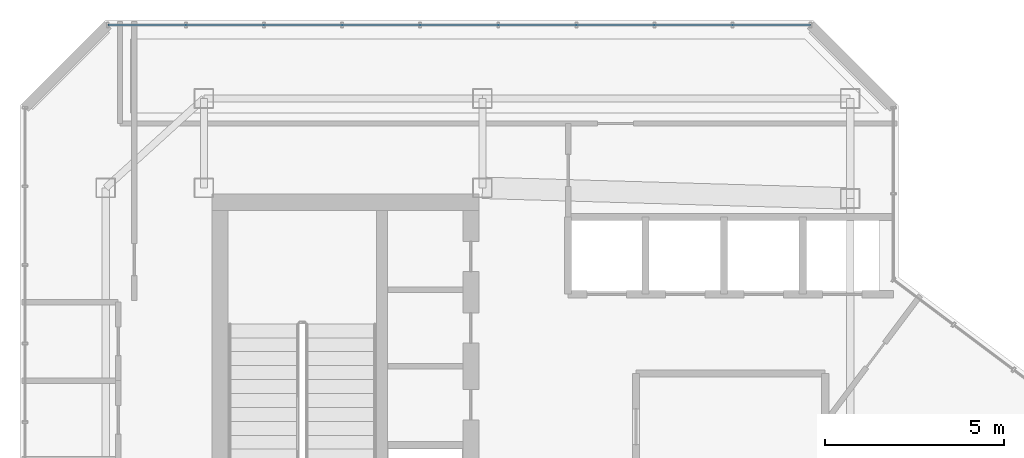
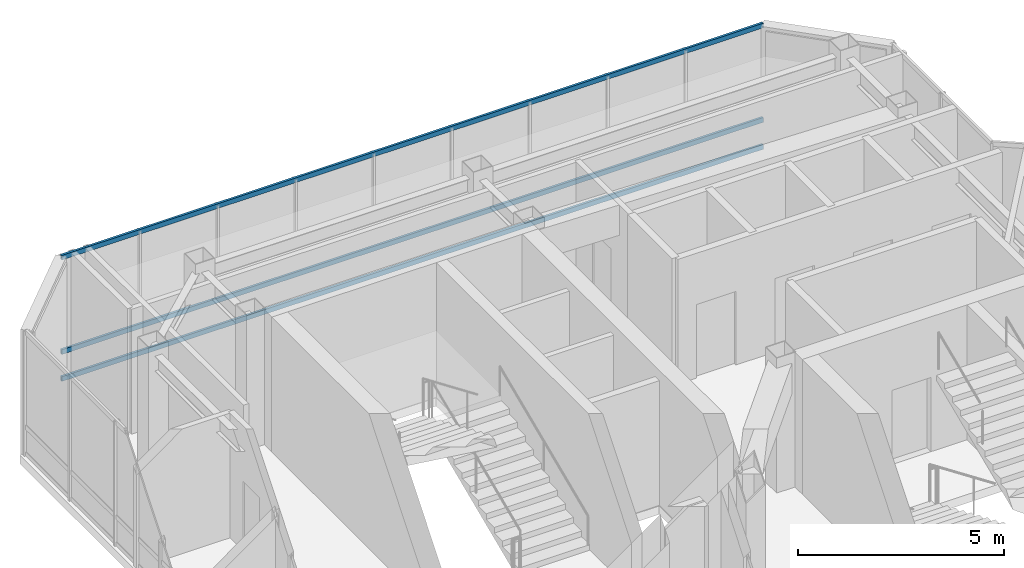
# One storey, part 17 of 24: 3 members, 1 element without a shape of its own.
"""IFC4 building model written with IfcOpenShell, lengths in metres."""

from ifc_helpers import new_model, si_unit, direction, frame, origin, origin_2d, place, context, subcontext, project, spatial, hollow_rectangle, extrude, material, layer, layer_set, material_profile, profile_set, type_object, element, aggregate, save


model = new_model("IFC4")

# Units and contexts
model_context = context("Model", 3, precision=1e-05, world=origin(), true_north=direction((0.0, 1.0)))
body_context = subcontext(model_context, "Body", "Model", "MODEL_VIEW")
ifc_project = project(units=[si_unit("LENGTHUNIT", "METRE"), si_unit("AREAUNIT", "SQUARE_METRE"), si_unit("VOLUMEUNIT", "CUBIC_METRE"), si_unit("PLANEANGLEUNIT", "RADIAN"), si_unit("MASSUNIT", "GRAM", prefix="KILO")], contexts=[model_context])

# Site, building, storey
site_placement = place(None, origin())
site = spatial("IfcSite", under=ifc_project, at=site_placement, CompositionType="ELEMENT")
building_placement = place(site_placement, origin())
building = spatial("IfcBuilding", under=site, at=building_placement, Name="Hatsunagi Terrace Concourse", CompositionType="ELEMENT")
storey_placement = place(building_placement, frame((0.0, 0.0, 285.949951171875)))
storey = spatial("IfcBuildingStorey", under=building, at=storey_placement, Name="L75", CompositionType="ELEMENT", Elevation=285.949951171875)

# Curtain wall, members
ifc_material_1 = material(Name="Anodised Aluminium Alloy 6063-T5", Category="aluminium")
ifc_layer = layer(ifc_material_1, 0.199951171875)
ifc_layer_set = layer_set([ifc_layer], Name="CrownWintergarden_CW06")
curtain_wall_type = type_object("IfcCurtainWallType", Name="CrownWintergarden_CW06", PredefinedType="NOTDEFINED", material=ifc_layer_set)
curtain_wall_placement = place(storey_placement, origin())
curtain_wall = element("IfcCurtainWall", 1, at=curtain_wall_placement, inside=storey, type_object=curtain_wall_type, Name="Unitised Curtain Wall CW-06 CW-L75-09", PredefinedType="NOTDEFINED")
ifc_material_2 = material(Name="Anodised Aluminium Alloy 6063-T5", Category="aluminium")
ifc_material_profile = material_profile(ifc_material_2, hollow_rectangle(XDim=0.06494140625, YDim=0.139892578125, WallThickness=0.00390625, at=origin_2d()), Name="ALU-TRN-140x65x4")
ifc_profile_set = profile_set([ifc_material_profile], Name="Anodised Aluminium Alloy 6063-T5")
member_type = type_object("IfcMemberType", Name="CurtainWallTransom_140x65", PredefinedType="USERDEFINED", material=ifc_profile_set)
member_1_placement = place(storey_placement, frame((22.85791015625, 47.860107421875, 0.050048828125), z_axis=(1.0, 0.0, 0.0), x_axis=(0.0, 1.0, 0.0)))
member_1 = element("IfcMember", 2, at=member_1_placement, type_object=member_type, Name="Curtain Wall Transom TRN-02", ObjectType="TRANSOM", PredefinedType="USERDEFINED", context=body_context, shape_type="SweptSolid", body=[
    extrude(hollow_rectangle(XDim=0.06494140625, YDim=0.139892578125, WallThickness=0.00390625, at=origin_2d()), origin(), (0.0, 0.0, 1.0), 19.68408203125),
])
member_2_placement = place(storey_placement, frame((22.85791015625, 47.860107421875, 0.85009765625), z_axis=(1.0, 0.0, 0.0), x_axis=(0.0, 1.0, 0.0)))
member_2 = element("IfcMember", 3, at=member_2_placement, type_object=member_type, Name="Curtain Wall Transom TRN-02", ObjectType="TRANSOM", PredefinedType="USERDEFINED", context=body_context, shape_type="SweptSolid", body=[
    extrude(hollow_rectangle(XDim=0.06494140625, YDim=0.139892578125, WallThickness=0.00390625, at=origin_2d()), origin(), (0.0, 0.0, 1.0), 19.68408203125),
])
member_3_placement = place(storey_placement, frame((22.85791015625, 47.860107421875, 3.650146484375), z_axis=(1.0, 0.0, 0.0), x_axis=(0.0, 1.0, 0.0)))
member_3 = element("IfcMember", 4, at=member_3_placement, type_object=member_type, Name="Curtain Wall Transom TRN-02", ObjectType="TRANSOM", PredefinedType="USERDEFINED", context=body_context, shape_type="SweptSolid", body=[
    extrude(hollow_rectangle(XDim=0.06494140625, YDim=0.139892578125, WallThickness=0.00390625, at=origin_2d()), origin(), (0.0, 0.0, 1.0), 19.68408203125),
])
aggregate(curtain_wall, [member_1, member_2, member_3])

save(model, "model.ifc")
